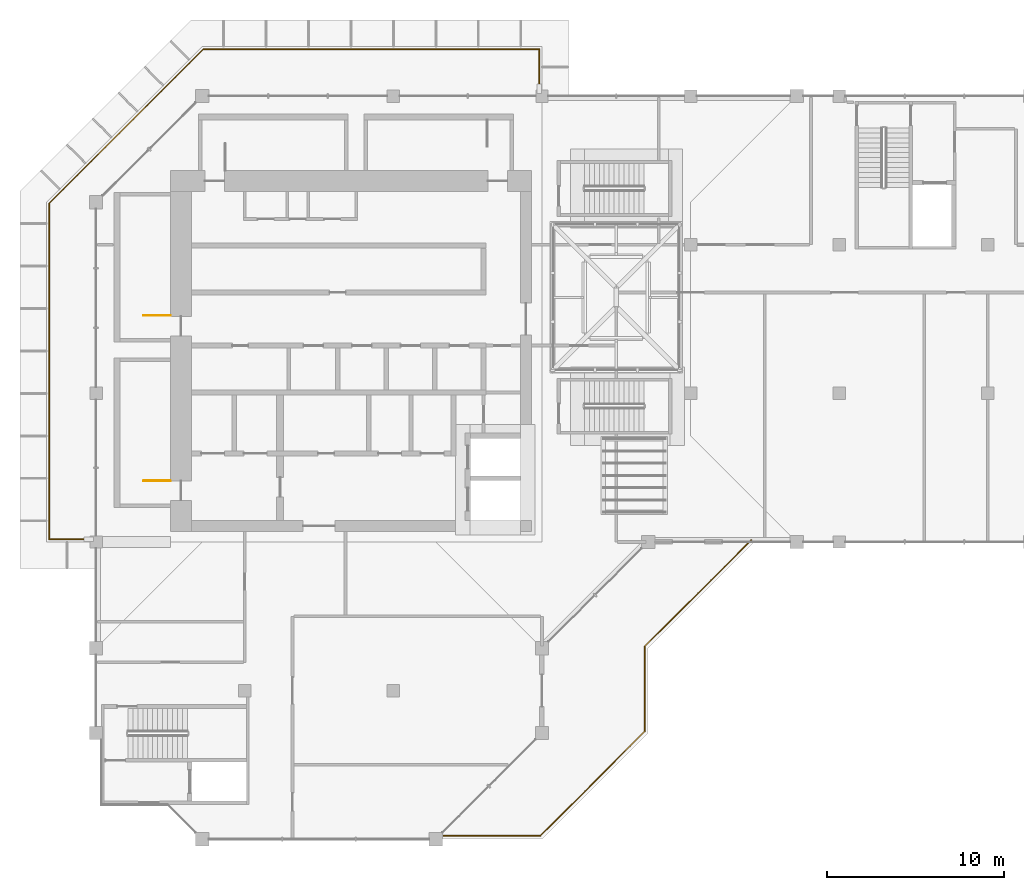
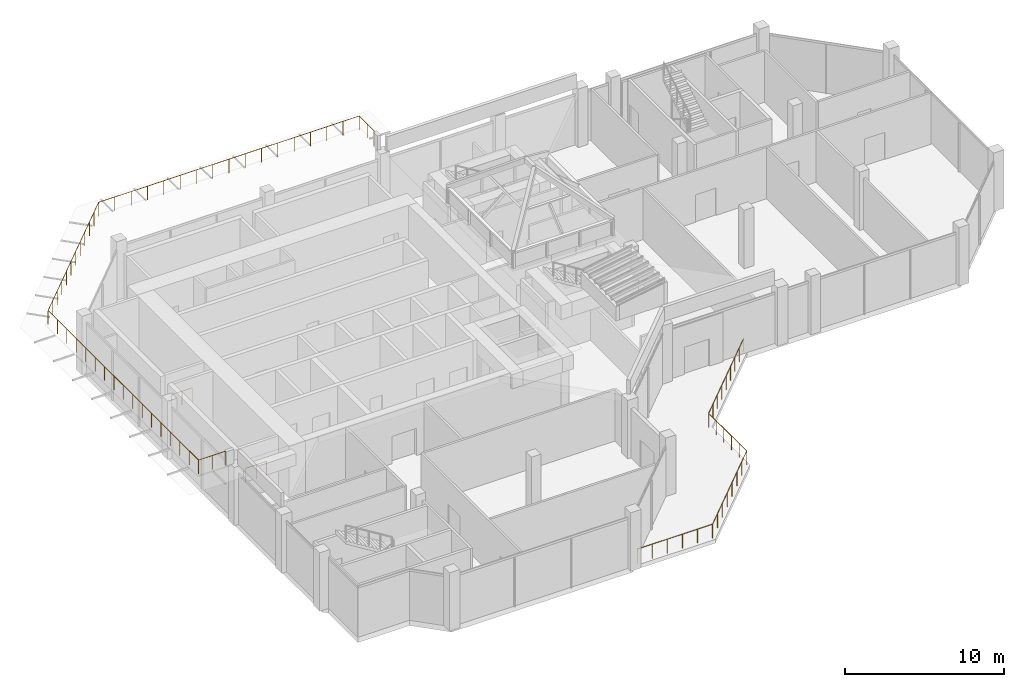
# One storey, part 13 of 15: 4 railings.
"""IFC4 building model written with IfcOpenShell, lengths in metres."""

from ifc_helpers import new_model, si_unit, direction, frame, origin, origin_2d, place, context, subcontext, project, spatial, circle, extrude, material, type_object, element, save


model = new_model("IFC4")

# Units and contexts
model_context = context("Model", 3, precision=1e-05, world=origin(), true_north=direction((0.0, 1.0)))
body_context = subcontext(model_context, "Body", "Model", "MODEL_VIEW")
ifc_project = project(units=[si_unit("LENGTHUNIT", "METRE"), si_unit("AREAUNIT", "SQUARE_METRE"), si_unit("VOLUMEUNIT", "CUBIC_METRE"), si_unit("PLANEANGLEUNIT", "RADIAN"), si_unit("MASSUNIT", "GRAM", prefix="KILO")], contexts=[model_context])

# Site, building, storey
site_placement = place(None, origin())
site = spatial("IfcSite", under=ifc_project, at=site_placement, CompositionType="ELEMENT")
building_placement = place(site_placement, origin())
building = spatial("IfcBuilding", under=site, at=building_placement, Name="Kawkab Arch Medical Tower", CompositionType="ELEMENT")
storey_placement = place(building_placement, frame((0.0, 0.0, 332.199951171875)))
storey = spatial("IfcBuildingStorey", under=building, at=storey_placement, Name="L77", CompositionType="ELEMENT", Elevation=332.199951171875)

# Railings
ifc_material_1 = material(Name="Bronze anodised aluminium guard", Category="aluminium")
railing_type_1 = type_object("IfcRailingType", Name="Helideck guard 1100", PredefinedType="GUARDRAIL", material=ifc_material_1)
railing_1_placement = place(storey_placement, frame((-0.68310546875, -25.050048828125, 4.5)))
element("IfcRailing", 1, at=railing_1_placement, inside=storey, type_object=railing_type_1, Name="Helideck guard 1", PredefinedType="GUARDRAIL", context=body_context, shape_type="SweptSolid", body=[
    extrude(circle(Radius=0.02392578125, at=origin_2d()), frame((0.0, 0.0, 1.076171875), z_axis=(-1.0, 0.0, 0.0), x_axis=(0.0, -1.0, 0.0)), (0.0, 0.0, 1.0), 1.966796875),
    extrude(circle(Radius=0.02392578125, at=origin_2d()), frame((-1.966796875, 0.0, 1.076171875), z_axis=(0.0, 1.0, 0.0), x_axis=(-1.0, 0.0, 0.0)), (0.0, 0.0, 1.0), 18.988037109375),
    extrude(circle(Radius=0.02392578125, at=origin_2d()), frame((-1.966796875, 18.988037109375, 1.076171875), z_axis=(0.707106781187, 0.707106781187, 0.0), x_axis=(-0.707106781187, 0.707106781187, 0.0)), (0.0, 0.0, 1.0), 12.320556640625),
    extrude(circle(Radius=0.02392578125, at=origin_2d()), frame((6.7451171875, 27.699951171875, 1.076171875), z_axis=(1.0, 0.0, 0.0), x_axis=(0.0, 1.0, 0.0)), (0.0, 0.0, 1.0), 18.988037109375),
    extrude(circle(Radius=0.02392578125, at=origin_2d()), frame((25.733154296875, 27.699951171875, 1.076171875), z_axis=(0.0, -1.0, 0.0), x_axis=(1.0, 0.0, 0.0)), (0.0, 0.0, 1.0), 1.966796875),
    extrude(circle(Radius=0.02099609375, at=origin_2d()), origin(), (0.0, 0.0, 1.0), 1.052001953125),
    extrude(circle(Radius=0.02099609375, at=origin_2d()), frame((-0.9833984375, 0.0, 0.0)), (0.0, 0.0, 1.0), 1.052001953125),
    extrude(circle(Radius=0.02099609375, at=origin_2d()), frame((-1.966796875, 0.0, 0.0)), (0.0, 0.0, 1.0), 1.052001953125),
    extrude(circle(Radius=0.02099609375, at=origin_2d()), frame((-1.966796875, 1.186767578125, 0.0)), (0.0, 0.0, 1.0), 1.052001953125),
    extrude(circle(Radius=0.02099609375, at=origin_2d()), frame((-1.966796875, 2.37353515625, 0.0)), (0.0, 0.0, 1.0), 1.052001953125),
    extrude(circle(Radius=0.02099609375, at=origin_2d()), frame((-1.966796875, 3.560302734375, 0.0)), (0.0, 0.0, 1.0), 1.052001953125),
    extrude(circle(Radius=0.02099609375, at=origin_2d()), frame((-1.966796875, 4.7470703125, 0.0)), (0.0, 0.0, 1.0), 1.052001953125),
    extrude(circle(Radius=0.02099609375, at=origin_2d()), frame((-1.966796875, 5.933837890625, 0.0)), (0.0, 0.0, 1.0), 1.052001953125),
    extrude(circle(Radius=0.02099609375, at=origin_2d()), frame((-1.966796875, 7.12060546875, 0.0)), (0.0, 0.0, 1.0), 1.052001953125),
    extrude(circle(Radius=0.02099609375, at=origin_2d()), frame((-1.966796875, 8.307373046875, 0.0)), (0.0, 0.0, 1.0), 1.052001953125),
    extrude(circle(Radius=0.02099609375, at=origin_2d()), frame((-1.966796875, 9.494140625, 0.0)), (0.0, 0.0, 1.0), 1.052001953125),
    extrude(circle(Radius=0.02099609375, at=origin_2d()), frame((-1.966796875, 10.6806640625, 0.0)), (0.0, 0.0, 1.0), 1.052001953125),
    extrude(circle(Radius=0.02099609375, at=origin_2d()), frame((-1.966796875, 11.867431640625, 0.0)), (0.0, 0.0, 1.0), 1.052001953125),
    extrude(circle(Radius=0.02099609375, at=origin_2d()), frame((-1.966796875, 13.05419921875, 0.0)), (0.0, 0.0, 1.0), 1.052001953125),
    extrude(circle(Radius=0.02099609375, at=origin_2d()), frame((-1.966796875, 14.240966796875, 0.0)), (0.0, 0.0, 1.0), 1.052001953125),
    extrude(circle(Radius=0.02099609375, at=origin_2d()), frame((-1.966796875, 15.427734375, 0.0)), (0.0, 0.0, 1.0), 1.052001953125),
    extrude(circle(Radius=0.02099609375, at=origin_2d()), frame((-1.966796875, 16.614501953125, 0.0)), (0.0, 0.0, 1.0), 1.052001953125),
    extrude(circle(Radius=0.02099609375, at=origin_2d()), frame((-1.966796875, 17.80126953125, 0.0)), (0.0, 0.0, 1.0), 1.052001953125),
    extrude(circle(Radius=0.02099609375, at=origin_2d()), frame((-1.966796875, 18.988037109375, 0.0)), (0.0, 0.0, 1.0), 1.052001953125),
    extrude(circle(Radius=0.02099609375, at=origin_2d()), frame((-1.1748046875, 19.780029296875, 0.0)), (0.0, 0.0, 1.0), 1.052001953125),
    extrude(circle(Radius=0.02099609375, at=origin_2d()), frame((-0.3828125, 20.572021484375, 0.0)), (0.0, 0.0, 1.0), 1.052001953125),
    extrude(circle(Radius=0.02099609375, at=origin_2d()), frame((0.4091796875, 21.364013671875, 0.0)), (0.0, 0.0, 1.0), 1.052001953125),
    extrude(circle(Radius=0.02099609375, at=origin_2d()), frame((1.201171875, 22.156005859375, 0.0)), (0.0, 0.0, 1.0), 1.052001953125),
    extrude(circle(Radius=0.02099609375, at=origin_2d()), frame((1.9931640625, 22.947998046875, 0.0)), (0.0, 0.0, 1.0), 1.052001953125),
    extrude(circle(Radius=0.02099609375, at=origin_2d()), frame((2.78515625, 23.739990234375, 0.0)), (0.0, 0.0, 1.0), 1.052001953125),
    extrude(circle(Radius=0.02099609375, at=origin_2d()), frame((3.5771484375, 24.531982421875, 0.0)), (0.0, 0.0, 1.0), 1.052001953125),
    extrude(circle(Radius=0.02099609375, at=origin_2d()), frame((4.369140625, 25.323974609375, 0.0)), (0.0, 0.0, 1.0), 1.052001953125),
    extrude(circle(Radius=0.02099609375, at=origin_2d()), frame((5.1611328125, 26.115966796875, 0.0)), (0.0, 0.0, 1.0), 1.052001953125),
    extrude(circle(Radius=0.02099609375, at=origin_2d()), frame((5.953125, 26.907958984375, 0.0)), (0.0, 0.0, 1.0), 1.052001953125),
    extrude(circle(Radius=0.02099609375, at=origin_2d()), frame((6.7451171875, 27.699951171875, 0.0)), (0.0, 0.0, 1.0), 1.052001953125),
    extrude(circle(Radius=0.02099609375, at=origin_2d()), frame((7.931884765625, 27.699951171875, 0.0)), (0.0, 0.0, 1.0), 1.052001953125),
    extrude(circle(Radius=0.02099609375, at=origin_2d()), frame((9.11865234375, 27.699951171875, 0.0)), (0.0, 0.0, 1.0), 1.052001953125),
    extrude(circle(Radius=0.02099609375, at=origin_2d()), frame((10.305419921875, 27.699951171875, 0.0)), (0.0, 0.0, 1.0), 1.052001953125),
    extrude(circle(Radius=0.02099609375, at=origin_2d()), frame((11.4921875, 27.699951171875, 0.0)), (0.0, 0.0, 1.0), 1.052001953125),
    extrude(circle(Radius=0.02099609375, at=origin_2d()), frame((12.678955078125, 27.699951171875, 0.0)), (0.0, 0.0, 1.0), 1.052001953125),
    extrude(circle(Radius=0.02099609375, at=origin_2d()), frame((13.86572265625, 27.699951171875, 0.0)), (0.0, 0.0, 1.0), 1.052001953125),
    extrude(circle(Radius=0.02099609375, at=origin_2d()), frame((15.052490234375, 27.699951171875, 0.0)), (0.0, 0.0, 1.0), 1.052001953125),
    extrude(circle(Radius=0.02099609375, at=origin_2d()), frame((16.2392578125, 27.699951171875, 0.0)), (0.0, 0.0, 1.0), 1.052001953125),
    extrude(circle(Radius=0.02099609375, at=origin_2d()), frame((17.42578125, 27.699951171875, 0.0)), (0.0, 0.0, 1.0), 1.052001953125),
    extrude(circle(Radius=0.02099609375, at=origin_2d()), frame((18.612548828125, 27.699951171875, 0.0)), (0.0, 0.0, 1.0), 1.052001953125),
    extrude(circle(Radius=0.02099609375, at=origin_2d()), frame((19.79931640625, 27.699951171875, 0.0)), (0.0, 0.0, 1.0), 1.052001953125),
    extrude(circle(Radius=0.02099609375, at=origin_2d()), frame((20.986083984375, 27.699951171875, 0.0)), (0.0, 0.0, 1.0), 1.052001953125),
    extrude(circle(Radius=0.02099609375, at=origin_2d()), frame((22.1728515625, 27.699951171875, 0.0)), (0.0, 0.0, 1.0), 1.052001953125),
    extrude(circle(Radius=0.02099609375, at=origin_2d()), frame((23.359619140625, 27.699951171875, 0.0)), (0.0, 0.0, 1.0), 1.052001953125),
    extrude(circle(Radius=0.02099609375, at=origin_2d()), frame((24.54638671875, 27.699951171875, 0.0)), (0.0, 0.0, 1.0), 1.052001953125),
    extrude(circle(Radius=0.02099609375, at=origin_2d()), frame((25.733154296875, 27.699951171875, 0.0)), (0.0, 0.0, 1.0), 1.052001953125),
    extrude(circle(Radius=0.02099609375, at=origin_2d()), frame((25.733154296875, 26.716552734375, 0.0)), (0.0, 0.0, 1.0), 1.052001953125),
    extrude(circle(Radius=0.02099609375, at=origin_2d()), frame((25.733154296875, 25.733154296875, 0.0)), (0.0, 0.0, 1.0), 1.052001953125),
])
ifc_material_2 = material(Name="Bronze anodised aluminium guard", Category="aluminium")
railing_type_2 = type_object("IfcRailingType", Name="Loggia and terrace guard 1100", PredefinedType="GUARDRAIL", material=ifc_material_2)
railing_2_placement = place(storey_placement, frame((19.6298828125, -41.800048828125, 0.0)))
element("IfcRailing", 2, at=railing_2_placement, inside=storey, type_object=railing_type_2, Name="Guard L77.TER-01.1.1", PredefinedType="GUARDRAIL", context=body_context, shape_type="SweptSolid", body=[
    extrude(circle(Radius=0.02392578125, at=origin_2d()), frame((0.0, 0.0, 1.076171875), z_axis=(1.0, 0.0, 0.0), x_axis=(0.0, 1.0, 0.0)), (0.0, 0.0, 1.0), 5.487060546875),
    extrude(circle(Radius=0.02392578125, at=origin_2d()), frame((5.487060546875, 0.0, 1.076171875), z_axis=(0.707106781187, 0.707106781187, 0.0), x_axis=(-0.707106781187, 0.707106781187, 0.0)), (0.0, 0.0, 1.0), 8.31982421875),
    extrude(circle(Radius=0.02392578125, at=origin_2d()), frame((11.3701171875, 5.883056640625, 1.076171875), z_axis=(0.0, 1.0, 0.0), x_axis=(-1.0, 0.0, 0.0)), (0.0, 0.0, 1.0), 4.800048828125),
    extrude(circle(Radius=0.02392578125, at=origin_2d()), frame((11.3701171875, 10.68310546875, 1.076171875), z_axis=(0.707178368813, 0.707035186312, 0.0), x_axis=(-0.707035186312, 0.707178368813, 0.0)), (0.0, 0.0, 1.0), 8.525390625),
    extrude(circle(Radius=0.02099609375, at=origin_2d()), origin(), (0.0, 0.0, 1.0), 1.052001953125),
    extrude(circle(Radius=0.02099609375, at=origin_2d()), frame((1.097412109375, 0.0, 0.0)), (0.0, 0.0, 1.0), 1.052001953125),
    extrude(circle(Radius=0.02099609375, at=origin_2d()), frame((2.19482421875, 0.0, 0.0)), (0.0, 0.0, 1.0), 1.052001953125),
    extrude(circle(Radius=0.02099609375, at=origin_2d()), frame((3.292236328125, 0.0, 0.0)), (0.0, 0.0, 1.0), 1.052001953125),
    extrude(circle(Radius=0.02099609375, at=origin_2d()), frame((4.3896484375, 0.0, 0.0)), (0.0, 0.0, 1.0), 1.052001953125),
    extrude(circle(Radius=0.02099609375, at=origin_2d()), frame((5.487060546875, 0.0, 0.0)), (0.0, 0.0, 1.0), 1.052001953125),
    extrude(circle(Radius=0.02099609375, at=origin_2d()), frame((6.327392578125, 0.84033203125, 0.0)), (0.0, 0.0, 1.0), 1.052001953125),
    extrude(circle(Radius=0.02099609375, at=origin_2d()), frame((7.16796875, 1.680908203125, 0.0)), (0.0, 0.0, 1.0), 1.052001953125),
    extrude(circle(Radius=0.02099609375, at=origin_2d()), frame((8.00830078125, 2.521240234375, 0.0)), (0.0, 0.0, 1.0), 1.052001953125),
    extrude(circle(Radius=0.02099609375, at=origin_2d()), frame((8.848876953125, 3.36181640625, 0.0)), (0.0, 0.0, 1.0), 1.052001953125),
    extrude(circle(Radius=0.02099609375, at=origin_2d()), frame((9.689208984375, 4.2021484375, 0.0)), (0.0, 0.0, 1.0), 1.052001953125),
    extrude(circle(Radius=0.02099609375, at=origin_2d()), frame((10.52978515625, 5.042724609375, 0.0)), (0.0, 0.0, 1.0), 1.052001953125),
    extrude(circle(Radius=0.02099609375, at=origin_2d()), frame((11.3701171875, 5.883056640625, 0.0)), (0.0, 0.0, 1.0), 1.052001953125),
    extrude(circle(Radius=0.02099609375, at=origin_2d()), frame((11.3701171875, 6.843017578125, 0.0)), (0.0, 0.0, 1.0), 1.052001953125),
    extrude(circle(Radius=0.02099609375, at=origin_2d()), frame((11.3701171875, 7.802978515625, 0.0)), (0.0, 0.0, 1.0), 1.052001953125),
    extrude(circle(Radius=0.02099609375, at=origin_2d()), frame((11.3701171875, 8.76318359375, 0.0)), (0.0, 0.0, 1.0), 1.052001953125),
    extrude(circle(Radius=0.02099609375, at=origin_2d()), frame((11.3701171875, 9.72314453125, 0.0)), (0.0, 0.0, 1.0), 1.052001953125),
    extrude(circle(Radius=0.02099609375, at=origin_2d()), frame((11.3701171875, 10.68310546875, 0.0)), (0.0, 0.0, 1.0), 1.052001953125),
    extrude(circle(Radius=0.02099609375, at=origin_2d()), frame((12.123779296875, 11.4365234375, 0.0)), (0.0, 0.0, 1.0), 1.052001953125),
    extrude(circle(Radius=0.02099609375, at=origin_2d()), frame((12.87744140625, 12.18994140625, 0.0)), (0.0, 0.0, 1.0), 1.052001953125),
    extrude(circle(Radius=0.02099609375, at=origin_2d()), frame((13.631103515625, 12.943603515625, 0.0)), (0.0, 0.0, 1.0), 1.052001953125),
    extrude(circle(Radius=0.02099609375, at=origin_2d()), frame((14.384765625, 13.697021484375, 0.0)), (0.0, 0.0, 1.0), 1.052001953125),
    extrude(circle(Radius=0.02099609375, at=origin_2d()), frame((15.13818359375, 14.450439453125, 0.0)), (0.0, 0.0, 1.0), 1.052001953125),
    extrude(circle(Radius=0.02099609375, at=origin_2d()), frame((15.891845703125, 15.2041015625, 0.0)), (0.0, 0.0, 1.0), 1.052001953125),
    extrude(circle(Radius=0.02099609375, at=origin_2d()), frame((16.6455078125, 15.95751953125, 0.0)), (0.0, 0.0, 1.0), 1.052001953125),
    extrude(circle(Radius=0.02099609375, at=origin_2d()), frame((17.399169921875, 16.7109375, 0.0)), (0.0, 0.0, 1.0), 1.052001953125),
])
ifc_material_3 = material(Name="Stainless steel", Category="steel")
railing_type_3 = type_object("IfcRailingType", Name="Stair guard 1100", PredefinedType="GUARDRAIL", material=ifc_material_3)
for number, where, name in (
    (3, (4.199951171875, -12.39990234375, 0.0), "L77 ST1 top well guard 1"),
    (4, (4.199951171875, -21.75, 0.0), "L77 ST2 top well guard 1"),
):
    element("IfcRailing", number, at=place(storey_placement, frame(where)), inside=storey, type_object=railing_type_3, Name=name, PredefinedType="GUARDRAIL", context=body_context, shape_type="SweptSolid", body=[
        extrude(circle(Radius=0.02392578125, at=origin_2d()), frame((0.0, 0.0, 1.076171875), z_axis=(-1.0, 0.0, 0.0), x_axis=(0.0, -1.0, 0.0)), (0.0, 0.0, 1.0), 1.5),
        extrude(circle(Radius=0.02099609375, at=origin_2d()), origin(), (0.0, 0.0, 1.0), 1.052001953125),
        extrude(circle(Radius=0.02099609375, at=origin_2d()), frame((-0.75, 0.0, 0.0)), (0.0, 0.0, 1.0), 1.052001953125),
        extrude(circle(Radius=0.02099609375, at=origin_2d()), frame((-1.5, 0.0, 0.0)), (0.0, 0.0, 1.0), 1.052001953125),
    ])

save(model, "model.ifc")
